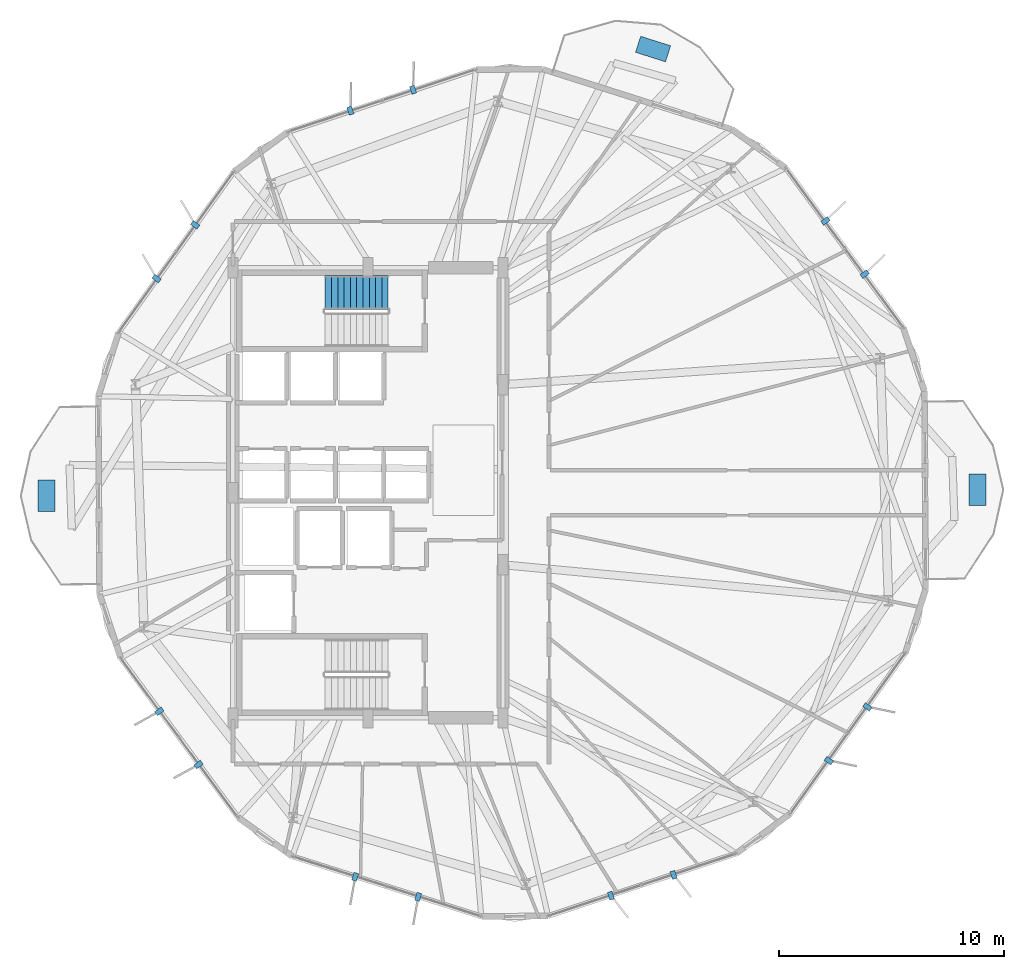
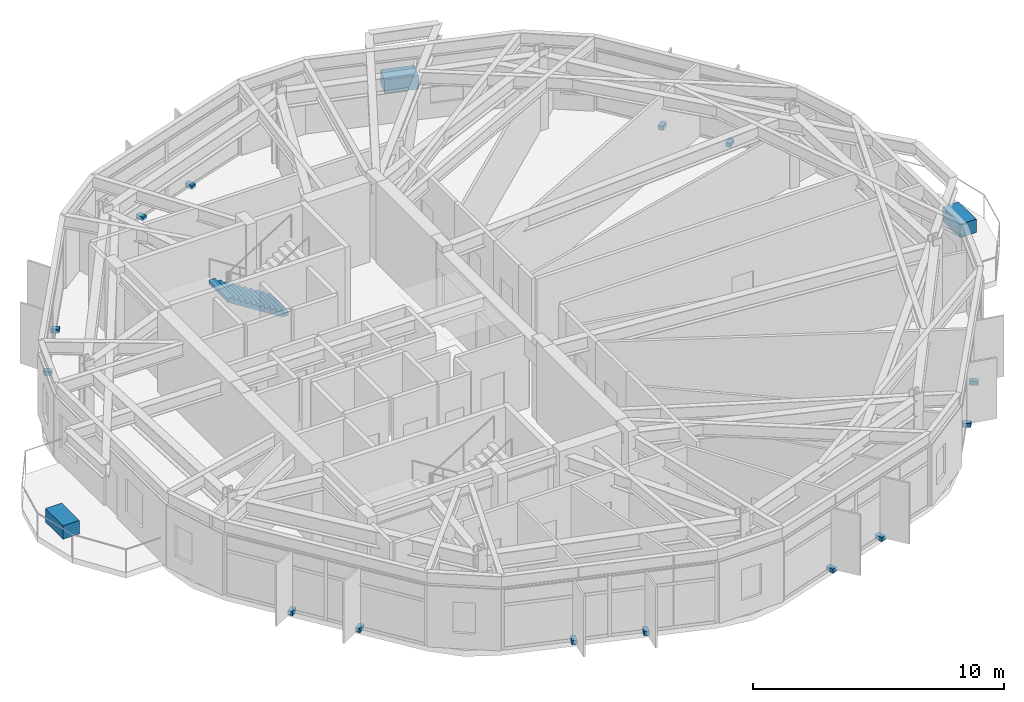
# One storey, part 24 of 27: 17 discrete accessories, 1 stair flight, 1 element without a shape of its own.
"""IFC4 building model written with IfcOpenShell, lengths in metres."""

from ifc_helpers import new_model, si_unit, direction, frame, origin, origin_2d, place, context, subcontext, project, spatial, polyline, rectangle, outline, extrude, material, layer, layer_set, type_object, element, aggregate, save


model = new_model("IFC4")

# Units and contexts
model_context = context("Model", 3, precision=1e-05, world=origin(), true_north=direction((0.0, 1.0)))
body_context = subcontext(model_context, "Body", "Model", "MODEL_VIEW")
ifc_project = project(units=[si_unit("LENGTHUNIT", "METRE"), si_unit("AREAUNIT", "SQUARE_METRE"), si_unit("VOLUMEUNIT", "CUBIC_METRE"), si_unit("PLANEANGLEUNIT", "RADIAN"), si_unit("MASSUNIT", "GRAM", prefix="KILO")], contexts=[model_context])

# Site, building, storey
site_placement = place(None, origin())
site = spatial("IfcSite", under=ifc_project, at=site_placement, CompositionType="ELEMENT")
building_placement = place(site_placement, origin())
building = spatial("IfcBuilding", under=site, at=building_placement, Name="Soratama Intermodal Tower", CompositionType="ELEMENT")
storey_placement = place(building_placement, frame((0.0, 0.0, 99.10009765625)))
storey = spatial("IfcBuildingStorey", under=building, at=storey_placement, Name="L23", CompositionType="ELEMENT", Elevation=99.10009765625)

# Stair, stair flight
ifc_material_1 = material(Name="Concrete f'c 42 MPa", Category="concrete")
stair_type = type_object("IfcStairType", Name="ST-CORE-DOGLEG", PredefinedType="HALF_TURN_STAIR", material=ifc_material_1)
stair_placement = place(storey_placement, origin())
stair = element("IfcStair", 1, at=stair_placement, inside=storey, type_object=stair_type, Name="L23 ST-2", PredefinedType="HALF_TURN_STAIR")
ifc_material_2 = material(Name="Precast concrete f'c 40 MPa", Category="concrete")
ifc_layer = layer(ifc_material_2, 0.199951171875)
ifc_layer_set = layer_set([ifc_layer], Name="Precast concrete f'c 40 MPa")
stair_flight_type = type_object("IfcStairFlightType", Name="SF-FLIGHT-RC", PredefinedType="STRAIGHT", material=ifc_layer_set)
stair_flight_placement = place(storey_placement, frame((39.5, 33.89990234375, 0.0), z_axis=(0.0, 0.0, 1.0), x_axis=(-1.0, 0.0, 0.0)))
stair_flight = element("IfcStairFlight", 2, at=stair_flight_placement, type_object=stair_flight_type, Name="ST-2 flight 1", NumberOfRisers=11, NumberOfTreads=10, PredefinedType="STRAIGHT", RiserHeight=0.177272727, TreadLength=0.28, context=body_context, shape_type="SweptSolid", body=[
    extrude(outline(polyline([(0.0, 0.0), (0.0, 0.17724609375), (0.280029296875, 0.17724609375), (0.280029296875, 0.3544921875), (0.56005859375, 0.3544921875), (0.56005859375, 0.53173828125), (0.840087890625, 0.53173828125), (0.840087890625, 0.708984375), (1.1201171875, 0.708984375), (1.1201171875, 0.886474609375), (1.39990234375, 0.886474609375), (1.39990234375, 1.063720703125), (1.679931640625, 1.063720703125), (1.679931640625, 1.240966796875), (1.9599609375, 1.240966796875), (1.9599609375, 1.418212890625), (2.239990234375, 1.418212890625), (2.239990234375, 1.595458984375), (2.52001953125, 1.595458984375), (2.52001953125, 1.772705078125), (2.800048828125, 1.772705078125), (2.800048828125, 1.949951171875), (2.800048828125, 1.59521484375), (0.2802734375, 0.0), (0.0, 0.0)])), frame((0.0, 0.75, 0.0), z_axis=(0.0, -1.0, 0.0), x_axis=(1.0, 0.0, 0.0)), (0.0, 0.0, 1.0), 1.5),
])
aggregate(stair, [stair_flight])

# Discrete accessories
ifc_material_3 = material(Name="Structural steel ASTM A992 Grade 50", Category="steel")
discrete_accessory_type_1 = type_object("IfcDiscreteAccessoryType", Name="AC-FIN-BRACKET", PredefinedType="BRACKET", material=ifc_material_3)
for number, where, z_axis, x_axis, name in (
    (3, (60.665283203125, 34.7099609375, -0.080078125), (0.0, 0.0, 1.0), (0.805307885711, 0.592856820161, 0.0), "L23 Fin Bracket F01-1"),
    (4, (58.9248046875, 37.073974609375, -0.080078125), (0.0, 0.0, 1.0), (0.805307885711, 0.592856820161, 0.0), "L23 Fin Bracket F01-2"),
    (5, (40.606201171875, 42.89892578125, -0.080078125), (0.0, 0.0, 1.0), (-0.314986519655, 0.94909614499, 0.0), "L23 Fin Bracket F03-1"),
    (6, (37.820068359375, 41.974365234375, -0.080078125), (0.0, 0.0, 1.0), (-0.314986519655, 0.94909614499, 0.0), "L23 Fin Bracket F03-2"),
    (7, (30.924560546875, 36.89794921875, -0.080078125), (0.0, 0.0, 1.0), (-0.812694164433, 0.582690479669, 0.0), "L23 Fin Bracket F04-1"),
    (8, (29.214111328125, 34.51220703125, -0.080078125), (0.0, 0.0, 1.0), (-0.812694164433, 0.582690479669, 0.0), "L23 Fin Bracket F04-2"),
    (9, (29.334716796875, 15.2900390625, -0.080078125), (0.0, 0.0, 1.0), (-0.805307885711, -0.592856820161, 0.0), "L23 Fin Bracket F06-1"),
    (10, (31.0751953125, 12.926025390625, -0.080078125), (0.0, 0.0, 1.0), (-0.805307885711, -0.592856820161, 0.0), "L23 Fin Bracket F06-2"),
    (11, (38.033935546875, 7.936767578125, -0.080078125), (0.0, 0.0, 1.0), (-0.303035269633, -0.952979341517, 0.0), "L23 Fin Bracket F07-1"),
    (12, (40.831298828125, 7.047119140625, -0.080078125), (0.0, 0.0, 1.0), (-0.303035269633, -0.952979341517, 0.0), "L23 Fin Bracket F07-2"),
    (13, (49.393798828125, 7.10107421875, -0.080078125), (0.0, 0.0, 1.0), (0.314986519655, -0.94909614499, 0.0), "L23 Fin Bracket F08-1"),
    (14, (52.179931640625, 8.025634765625, -0.080078125), (0.0, 0.0, 1.0), (0.314986519655, -0.94909614499, 0.0), "L23 Fin Bracket F08-2"),
    (15, (59.075439453125, 13.10205078125, -0.080078125), (0.0, 0.0, 1.0), (0.812694164433, -0.582690479669, 0.0), "L23 Fin Bracket F09-1"),
    (16, (60.785888671875, 15.48779296875, -0.080078125), (0.0, 0.0, 1.0), (0.812694164433, -0.582690479669, 0.0), "L23 Fin Bracket F09-2"),
):
    element("IfcDiscreteAccessory", number, at=place(storey_placement, frame(where, z_axis=z_axis, x_axis=x_axis)), inside=storey, type_object=discrete_accessory_type_1, Name=name, PredefinedType="BRACKET", context=body_context, shape_type="SweptSolid", body=[
        extrude(rectangle(XDim=0.360107421875, YDim=0.219970703125, at=origin_2d()), origin(), (0.0, 0.0, 1.0), 0.199951171875),
    ])
ifc_material_4 = material(Name="Precast concrete f'c 40 MPa", Category="concrete")
discrete_accessory_type_2 = type_object("IfcDiscreteAccessoryType", Name="AC-PLANTER-TREE", PredefinedType="USERDEFINED", material=ifc_material_4)
for number, where, z_axis, x_axis, name in (
    (17, (65.681396484375, 25.1298828125, 0.0), (0.0, 0.0, 1.0), (0.999980260856, 0.006283143966, 0.0), "L23 Tree Planter 1"),
    (18, (51.267333984375, 44.70947265625, 0.0), (0.0, 0.0, 1.0), (0.303035269633, 0.952979341517, 0.0), "L23 Tree Planter 2"),
    (19, (24.318603515625, 24.8701171875, 0.0), (0.0, 0.0, 1.0), (-0.999980260856, -0.006283143966, 0.0), "L23 Tree Planter 3"),
):
    element("IfcDiscreteAccessory", number, at=place(storey_placement, frame(where, z_axis=z_axis, x_axis=x_axis)), inside=storey, type_object=discrete_accessory_type_2, Name=name, ObjectType="PLANTER", PredefinedType="USERDEFINED", context=body_context, shape_type="SweptSolid", body=[
        extrude(rectangle(XDim=0.75, YDim=1.39990234375, at=origin_2d()), origin(), (0.0, 0.0, 1.0), 0.64990234375),
    ])

save(model, "model.ifc")
